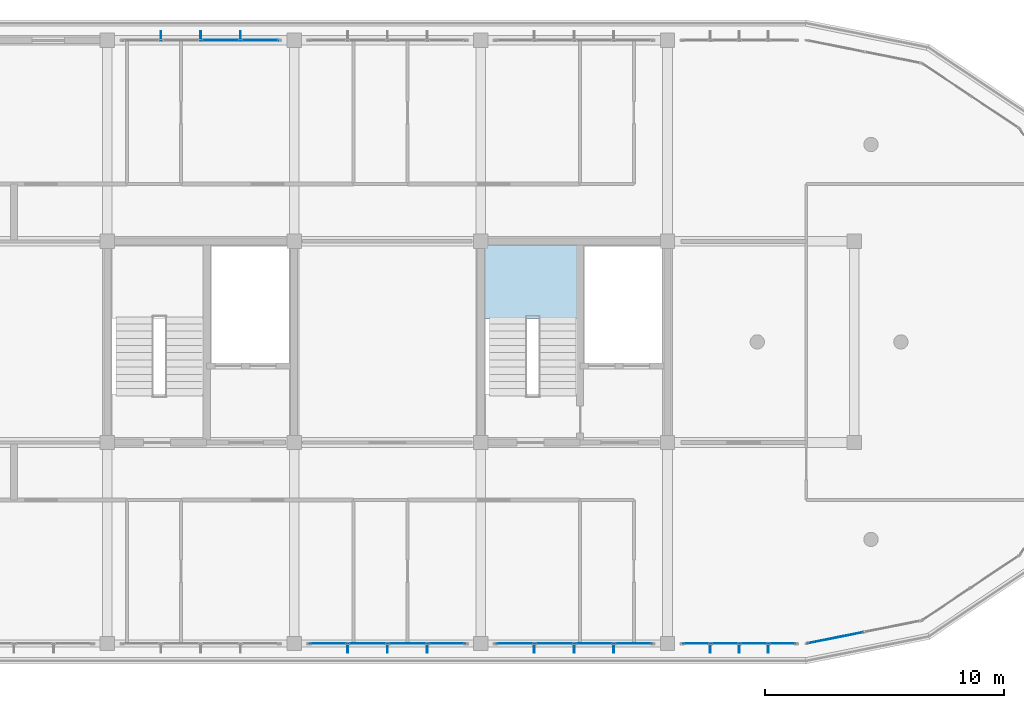
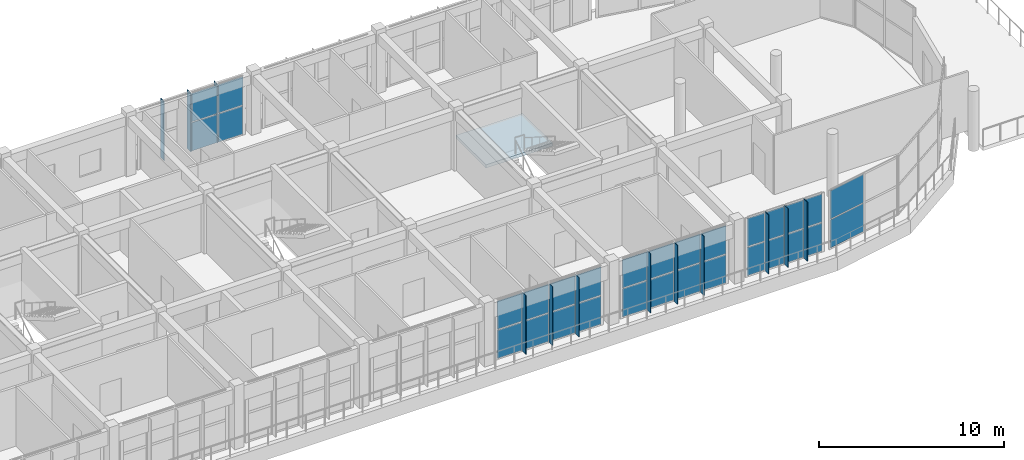
# One storey, part 38 of 50: 42 plates, 1 slab, 6 elements without a shape of their own.
"""IFC4 building model written with IfcOpenShell, lengths in metres."""

from ifc_helpers import new_model, si_unit, direction, frame, origin, origin_2d, place, context, subcontext, project, spatial, polyline, rectangle, outline, extrude, material, layer, layer_set, type_object, element, aggregate, save


model = new_model("IFC4")

# Units and contexts
model_context = context("Model", 3, precision=1e-05, world=origin(), true_north=direction((0.0, 1.0)))
body_context = subcontext(model_context, "Body", "Model", "MODEL_VIEW")
ifc_project = project(units=[si_unit("LENGTHUNIT", "METRE"), si_unit("AREAUNIT", "SQUARE_METRE"), si_unit("VOLUMEUNIT", "CUBIC_METRE"), si_unit("PLANEANGLEUNIT", "RADIAN"), si_unit("MASSUNIT", "GRAM", prefix="KILO")], contexts=[model_context])

# Site, building, storey
site_placement = place(None, origin())
site = spatial("IfcSite", under=ifc_project, at=site_placement, CompositionType="ELEMENT")
building_placement = place(site_placement, origin())
building = spatial("IfcBuilding", under=site, at=building_placement, Name="Zizhar Promenade General Hospital", CompositionType="ELEMENT")
storey_placement = place(building_placement, frame((0.0, 0.0, 30.60009765625)))
storey = spatial("IfcBuildingStorey", under=building, at=storey_placement, Name="L07", CompositionType="ELEMENT", Elevation=30.60009765625)

# Curtain wall, plates
ifc_material_1 = material(Name="Anodised aluminium 6063-T6 and low-E glass", Category="aluminium")
ifc_layer_1 = layer(ifc_material_1, 0.159912109375)
ifc_layer_set_1 = layer_set([ifc_layer_1], Name="Anodised aluminium 6063-T6 and low-E glass")
curtain_wall_type_1 = type_object("IfcCurtainWallType", Name="CW-WARD-ARC", PredefinedType="NOTDEFINED", material=ifc_layer_set_1)
curtain_wall_1_placement = place(storey_placement, origin())
curtain_wall_1 = element("IfcCurtainWall", 1, at=curtain_wall_1_placement, inside=storey, type_object=curtain_wall_type_1, Name="Ward Semicircular End Glazing L07-01", PredefinedType="NOTDEFINED")
ifc_material_2 = material(Name="Low-E solar-control glass", Category="glass")
ifc_layer_2 = layer(ifc_material_2, 0.031982421875)
ifc_layer_set_2 = layer_set([ifc_layer_2], Name="Low-E solar-control glass")
plate_type_1 = type_object("IfcPlateType", Name="CWP-GLZ-32", PredefinedType="CURTAIN_PANEL", material=ifc_layer_set_2)
plate_1_placement = place(storey_placement, frame((108.420166015625, 0.24267578125, 0.06005859375), z_axis=(0.0, 0.0, 1.0), x_axis=(-0.980785889615, -0.195087259275, 0.0)))
plate_1 = element("IfcPlate", 2, at=plate_1_placement, type_object=plate_type_1, Name="CW-12 panel 2.1", PredefinedType="CURTAIN_PANEL", context=body_context, shape_type="SweptSolid", body=[
    extrude(rectangle(XDim=2.3681640625, YDim=0.031982421875, at=origin_2d()), origin(), (0.0, 0.0, 1.0), 1.860107421875),
])
plate_2_placement = place(storey_placement, frame((108.420166015625, 0.24267578125, 1.97998046875), z_axis=(0.0, 0.0, 1.0), x_axis=(-0.980785889615, -0.195087259275, 0.0)))
plate_2 = element("IfcPlate", 3, at=plate_2_placement, type_object=plate_type_1, Name="CW-12 panel 2.2", PredefinedType="CURTAIN_PANEL", context=body_context, shape_type="SweptSolid", body=[
    extrude(rectangle(XDim=2.3681640625, YDim=0.031982421875, at=origin_2d()), origin(), (0.0, 0.0, 1.0), 1.860107421875),
])
aggregate(curtain_wall_1, [plate_1, plate_2])

ifc_material_3 = material(Name="Anodised aluminium 6063-T6 and low-E glass", Category="aluminium")
ifc_layer_3 = layer(ifc_material_3, 0.159912109375)
ifc_layer_set_3 = layer_set([ifc_layer_3], Name="Anodised aluminium 6063-T6 and low-E glass")
curtain_wall_type_2 = type_object("IfcCurtainWallType", Name="CW-WARD-RIB", PredefinedType="NOTDEFINED", material=ifc_layer_set_3)
curtain_wall_2_placement = place(storey_placement, origin())
curtain_wall_2 = element("IfcCurtainWall", 4, at=curtain_wall_2_placement, inside=storey, type_object=curtain_wall_type_2, Name="Ward Ribbon Curtain Wall L07-8-5", PredefinedType="NOTDEFINED")
plate_3_placement = place(storey_placement, frame((82.72998046875, 25.199951171875, 0.06005859375), z_axis=(0.0, 0.0, 1.0), x_axis=(1.0, 0.0, 0.0)))
plate_3 = element("IfcPlate", 5, at=plate_3_placement, type_object=plate_type_1, Name="CW-13 panel 3.1", PredefinedType="CURTAIN_PANEL", context=body_context, shape_type="SweptSolid", body=[
    extrude(rectangle(XDim=1.580078125, YDim=0.031982421875, at=origin_2d()), origin(), (0.0, 0.0, 1.0), 1.860107421875),
])
plate_4_placement = place(storey_placement, frame((82.72998046875, 25.199951171875, 1.97998046875), z_axis=(0.0, 0.0, 1.0), x_axis=(1.0, 0.0, 0.0)))
plate_4 = element("IfcPlate", 6, at=plate_4_placement, type_object=plate_type_1, Name="CW-13 panel 3.2", PredefinedType="CURTAIN_PANEL", context=body_context, shape_type="SweptSolid", body=[
    extrude(rectangle(XDim=1.580078125, YDim=0.031982421875, at=origin_2d()), origin(), (0.0, 0.0, 1.0), 1.860107421875),
])
plate_5_placement = place(storey_placement, frame((84.3701171875, 25.199951171875, 0.06005859375), z_axis=(0.0, 0.0, 1.0), x_axis=(1.0, 0.0, 0.0)))
plate_5 = element("IfcPlate", 7, at=plate_5_placement, type_object=plate_type_1, Name="CW-13 panel 4.1", PredefinedType="CURTAIN_PANEL", context=body_context, shape_type="SweptSolid", body=[
    extrude(rectangle(XDim=1.5400390625, YDim=0.031982421875, at=origin_2d()), origin(), (0.0, 0.0, 1.0), 1.860107421875),
])
plate_6_placement = place(storey_placement, frame((84.3701171875, 25.199951171875, 1.97998046875), z_axis=(0.0, 0.0, 1.0), x_axis=(1.0, 0.0, 0.0)))
plate_6 = element("IfcPlate", 8, at=plate_6_placement, type_object=plate_type_1, Name="CW-13 panel 4.2", PredefinedType="CURTAIN_PANEL", context=body_context, shape_type="SweptSolid", body=[
    extrude(rectangle(XDim=1.5400390625, YDim=0.031982421875, at=origin_2d()), origin(), (0.0, 0.0, 1.0), 1.860107421875),
])
aggregate(curtain_wall_2, [plate_3, plate_4, plate_5, plate_6])

curtain_wall_3_placement = place(storey_placement, origin())
curtain_wall_3 = element("IfcCurtainWall", 9, at=curtain_wall_3_placement, inside=storey, type_object=curtain_wall_type_2, Name="Ward Ribbon Curtain Wall L07-17-0", PredefinedType="NOTDEFINED")
plate_7_placement = place(storey_placement, frame((106.195068359375, 0.0, 0.06005859375), z_axis=(0.0, 0.0, 1.0), x_axis=(-1.0, 0.0, 0.0)))
plate_7 = element("IfcPlate", 10, at=plate_7_placement, type_object=plate_type_1, Name="CW-13 panel 1.1", PredefinedType="CURTAIN_PANEL", context=body_context, shape_type="SweptSolid", body=[
    extrude(rectangle(XDim=1.090087890625, YDim=0.031982421875, at=origin_2d()), origin(), (0.0, 0.0, 1.0), 1.860107421875),
])
plate_8_placement = place(storey_placement, frame((106.195068359375, 0.0, 1.97998046875), z_axis=(0.0, 0.0, 1.0), x_axis=(-1.0, 0.0, 0.0)))
plate_8 = element("IfcPlate", 11, at=plate_8_placement, type_object=plate_type_1, Name="CW-13 panel 1.2", PredefinedType="CURTAIN_PANEL", context=body_context, shape_type="SweptSolid", body=[
    extrude(rectangle(XDim=1.090087890625, YDim=0.031982421875, at=origin_2d()), origin(), (0.0, 0.0, 1.0), 1.860107421875),
])
plate_9_placement = place(storey_placement, frame((105.0048828125, 0.0, 0.06005859375), z_axis=(0.0, 0.0, 1.0), x_axis=(-1.0, 0.0, 0.0)))
plate_9 = element("IfcPlate", 12, at=plate_9_placement, type_object=plate_type_1, Name="CW-13 panel 2.1", PredefinedType="CURTAIN_PANEL", context=body_context, shape_type="SweptSolid", body=[
    extrude(rectangle(XDim=1.1298828125, YDim=0.031982421875, at=origin_2d()), origin(), (0.0, 0.0, 1.0), 1.860107421875),
])
plate_10_placement = place(storey_placement, frame((105.0048828125, 0.0, 1.97998046875), z_axis=(0.0, 0.0, 1.0), x_axis=(-1.0, 0.0, 0.0)))
plate_10 = element("IfcPlate", 13, at=plate_10_placement, type_object=plate_type_1, Name="CW-13 panel 2.2", PredefinedType="CURTAIN_PANEL", context=body_context, shape_type="SweptSolid", body=[
    extrude(rectangle(XDim=1.1298828125, YDim=0.031982421875, at=origin_2d()), origin(), (0.0, 0.0, 1.0), 1.860107421875),
])
plate_11_placement = place(storey_placement, frame((103.794921875, 0.0, 0.06005859375), z_axis=(0.0, 0.0, 1.0), x_axis=(-1.0, 0.0, 0.0)))
plate_11 = element("IfcPlate", 14, at=plate_11_placement, type_object=plate_type_1, Name="CW-13 panel 3.1", PredefinedType="CURTAIN_PANEL", context=body_context, shape_type="SweptSolid", body=[
    extrude(rectangle(XDim=1.1298828125, YDim=0.031982421875, at=origin_2d()), origin(), (0.0, 0.0, 1.0), 1.860107421875),
])
plate_12_placement = place(storey_placement, frame((103.794921875, 0.0, 1.97998046875), z_axis=(0.0, 0.0, 1.0), x_axis=(-1.0, 0.0, 0.0)))
plate_12 = element("IfcPlate", 15, at=plate_12_placement, type_object=plate_type_1, Name="CW-13 panel 3.2", PredefinedType="CURTAIN_PANEL", context=body_context, shape_type="SweptSolid", body=[
    extrude(rectangle(XDim=1.1298828125, YDim=0.031982421875, at=origin_2d()), origin(), (0.0, 0.0, 1.0), 1.860107421875),
])
plate_13_placement = place(storey_placement, frame((102.60498046875, 0.0, 0.06005859375), z_axis=(0.0, 0.0, 1.0), x_axis=(-1.0, 0.0, 0.0)))
plate_13 = element("IfcPlate", 16, at=plate_13_placement, type_object=plate_type_1, Name="CW-13 panel 4.1", PredefinedType="CURTAIN_PANEL", context=body_context, shape_type="SweptSolid", body=[
    extrude(rectangle(XDim=1.090087890625, YDim=0.031982421875, at=origin_2d()), origin(), (0.0, 0.0, 1.0), 1.860107421875),
])
plate_14_placement = place(storey_placement, frame((102.60498046875, 0.0, 1.97998046875), z_axis=(0.0, 0.0, 1.0), x_axis=(-1.0, 0.0, 0.0)))
plate_14 = element("IfcPlate", 17, at=plate_14_placement, type_object=plate_type_1, Name="CW-13 panel 4.2", PredefinedType="CURTAIN_PANEL", context=body_context, shape_type="SweptSolid", body=[
    extrude(rectangle(XDim=1.090087890625, YDim=0.031982421875, at=origin_2d()), origin(), (0.0, 0.0, 1.0), 1.860107421875),
])
aggregate(curtain_wall_3, [plate_7, plate_8, plate_9, plate_10, plate_11, plate_12, plate_13, plate_14])

curtain_wall_4_placement = place(storey_placement, origin())
curtain_wall_4 = element("IfcCurtainWall", 18, at=curtain_wall_4_placement, inside=storey, type_object=curtain_wall_type_2, Name="Ward Ribbon Curtain Wall L07-17-1", PredefinedType="NOTDEFINED")
plate_15_placement = place(storey_placement, frame((99.969970703125, 0.0, 0.06005859375), z_axis=(0.0, 0.0, 1.0), x_axis=(-1.0, 0.0, 0.0)))
plate_15 = element("IfcPlate", 19, at=plate_15_placement, type_object=plate_type_1, Name="CW-13 panel 1.1", PredefinedType="CURTAIN_PANEL", context=body_context, shape_type="SweptSolid", body=[
    extrude(rectangle(XDim=1.5400390625, YDim=0.031982421875, at=origin_2d()), origin(), (0.0, 0.0, 1.0), 1.860107421875),
])
plate_16_placement = place(storey_placement, frame((99.969970703125, 0.0, 1.97998046875), z_axis=(0.0, 0.0, 1.0), x_axis=(-1.0, 0.0, 0.0)))
plate_16 = element("IfcPlate", 20, at=plate_16_placement, type_object=plate_type_1, Name="CW-13 panel 1.2", PredefinedType="CURTAIN_PANEL", context=body_context, shape_type="SweptSolid", body=[
    extrude(rectangle(XDim=1.5400390625, YDim=0.031982421875, at=origin_2d()), origin(), (0.0, 0.0, 1.0), 1.860107421875),
])
plate_17_placement = place(storey_placement, frame((98.330078125, 0.0, 0.06005859375), z_axis=(0.0, 0.0, 1.0), x_axis=(-1.0, 0.0, 0.0)))
plate_17 = element("IfcPlate", 21, at=plate_17_placement, type_object=plate_type_1, Name="CW-13 panel 2.1", PredefinedType="CURTAIN_PANEL", context=body_context, shape_type="SweptSolid", body=[
    extrude(rectangle(XDim=1.580078125, YDim=0.031982421875, at=origin_2d()), origin(), (0.0, 0.0, 1.0), 1.860107421875),
])
plate_18_placement = place(storey_placement, frame((98.330078125, 0.0, 1.97998046875), z_axis=(0.0, 0.0, 1.0), x_axis=(-1.0, 0.0, 0.0)))
plate_18 = element("IfcPlate", 22, at=plate_18_placement, type_object=plate_type_1, Name="CW-13 panel 2.2", PredefinedType="CURTAIN_PANEL", context=body_context, shape_type="SweptSolid", body=[
    extrude(rectangle(XDim=1.580078125, YDim=0.031982421875, at=origin_2d()), origin(), (0.0, 0.0, 1.0), 1.860107421875),
])
plate_19_placement = place(storey_placement, frame((96.669921875, 0.0, 0.06005859375), z_axis=(0.0, 0.0, 1.0), x_axis=(-1.0, 0.0, 0.0)))
plate_19 = element("IfcPlate", 23, at=plate_19_placement, type_object=plate_type_1, Name="CW-13 panel 3.1", PredefinedType="CURTAIN_PANEL", context=body_context, shape_type="SweptSolid", body=[
    extrude(rectangle(XDim=1.580078125, YDim=0.031982421875, at=origin_2d()), origin(), (0.0, 0.0, 1.0), 1.860107421875),
])
plate_20_placement = place(storey_placement, frame((96.669921875, 0.0, 1.97998046875), z_axis=(0.0, 0.0, 1.0), x_axis=(-1.0, 0.0, 0.0)))
plate_20 = element("IfcPlate", 24, at=plate_20_placement, type_object=plate_type_1, Name="CW-13 panel 3.2", PredefinedType="CURTAIN_PANEL", context=body_context, shape_type="SweptSolid", body=[
    extrude(rectangle(XDim=1.580078125, YDim=0.031982421875, at=origin_2d()), origin(), (0.0, 0.0, 1.0), 1.860107421875),
])
plate_21_placement = place(storey_placement, frame((95.030029296875, 0.0, 0.06005859375), z_axis=(0.0, 0.0, 1.0), x_axis=(-1.0, 0.0, 0.0)))
plate_21 = element("IfcPlate", 25, at=plate_21_placement, type_object=plate_type_1, Name="CW-13 panel 4.1", PredefinedType="CURTAIN_PANEL", context=body_context, shape_type="SweptSolid", body=[
    extrude(rectangle(XDim=1.5400390625, YDim=0.031982421875, at=origin_2d()), origin(), (0.0, 0.0, 1.0), 1.860107421875),
])
plate_22_placement = place(storey_placement, frame((95.030029296875, 0.0, 1.97998046875), z_axis=(0.0, 0.0, 1.0), x_axis=(-1.0, 0.0, 0.0)))
plate_22 = element("IfcPlate", 26, at=plate_22_placement, type_object=plate_type_1, Name="CW-13 panel 4.2", PredefinedType="CURTAIN_PANEL", context=body_context, shape_type="SweptSolid", body=[
    extrude(rectangle(XDim=1.5400390625, YDim=0.031982421875, at=origin_2d()), origin(), (0.0, 0.0, 1.0), 1.860107421875),
])
aggregate(curtain_wall_4, [plate_15, plate_16, plate_17, plate_18, plate_19, plate_20, plate_21, plate_22])

curtain_wall_5_placement = place(storey_placement, origin())
curtain_wall_5 = element("IfcCurtainWall", 27, at=curtain_wall_5_placement, inside=storey, type_object=curtain_wall_type_2, Name="Ward Ribbon Curtain Wall L07-17-2", PredefinedType="NOTDEFINED")
plate_23_placement = place(storey_placement, frame((92.169921875, 0.0, 0.06005859375), z_axis=(0.0, 0.0, 1.0), x_axis=(-1.0, 0.0, 0.0)))
plate_23 = element("IfcPlate", 28, at=plate_23_placement, type_object=plate_type_1, Name="CW-13 panel 1.1", PredefinedType="CURTAIN_PANEL", context=body_context, shape_type="SweptSolid", body=[
    extrude(rectangle(XDim=1.5400390625, YDim=0.031982421875, at=origin_2d()), origin(), (0.0, 0.0, 1.0), 1.860107421875),
])
plate_24_placement = place(storey_placement, frame((92.169921875, 0.0, 1.97998046875), z_axis=(0.0, 0.0, 1.0), x_axis=(-1.0, 0.0, 0.0)))
plate_24 = element("IfcPlate", 29, at=plate_24_placement, type_object=plate_type_1, Name="CW-13 panel 1.2", PredefinedType="CURTAIN_PANEL", context=body_context, shape_type="SweptSolid", body=[
    extrude(rectangle(XDim=1.5400390625, YDim=0.031982421875, at=origin_2d()), origin(), (0.0, 0.0, 1.0), 1.860107421875),
])
plate_25_placement = place(storey_placement, frame((90.530029296875, 0.0, 0.06005859375), z_axis=(0.0, 0.0, 1.0), x_axis=(-1.0, 0.0, 0.0)))
plate_25 = element("IfcPlate", 30, at=plate_25_placement, type_object=plate_type_1, Name="CW-13 panel 2.1", PredefinedType="CURTAIN_PANEL", context=body_context, shape_type="SweptSolid", body=[
    extrude(rectangle(XDim=1.580078125, YDim=0.031982421875, at=origin_2d()), origin(), (0.0, 0.0, 1.0), 1.860107421875),
])
plate_26_placement = place(storey_placement, frame((90.530029296875, 0.0, 1.97998046875), z_axis=(0.0, 0.0, 1.0), x_axis=(-1.0, 0.0, 0.0)))
plate_26 = element("IfcPlate", 31, at=plate_26_placement, type_object=plate_type_1, Name="CW-13 panel 2.2", PredefinedType="CURTAIN_PANEL", context=body_context, shape_type="SweptSolid", body=[
    extrude(rectangle(XDim=1.580078125, YDim=0.031982421875, at=origin_2d()), origin(), (0.0, 0.0, 1.0), 1.860107421875),
])
plate_27_placement = place(storey_placement, frame((88.8701171875, 0.0, 0.06005859375), z_axis=(0.0, 0.0, 1.0), x_axis=(-1.0, 0.0, 0.0)))
plate_27 = element("IfcPlate", 32, at=plate_27_placement, type_object=plate_type_1, Name="CW-13 panel 3.1", PredefinedType="CURTAIN_PANEL", context=body_context, shape_type="SweptSolid", body=[
    extrude(rectangle(XDim=1.580078125, YDim=0.031982421875, at=origin_2d()), origin(), (0.0, 0.0, 1.0), 1.860107421875),
])
plate_28_placement = place(storey_placement, frame((88.8701171875, 0.0, 1.97998046875), z_axis=(0.0, 0.0, 1.0), x_axis=(-1.0, 0.0, 0.0)))
plate_28 = element("IfcPlate", 33, at=plate_28_placement, type_object=plate_type_1, Name="CW-13 panel 3.2", PredefinedType="CURTAIN_PANEL", context=body_context, shape_type="SweptSolid", body=[
    extrude(rectangle(XDim=1.580078125, YDim=0.031982421875, at=origin_2d()), origin(), (0.0, 0.0, 1.0), 1.860107421875),
])
plate_29_placement = place(storey_placement, frame((87.22998046875, 0.0, 0.06005859375), z_axis=(0.0, 0.0, 1.0), x_axis=(-1.0, 0.0, 0.0)))
plate_29 = element("IfcPlate", 34, at=plate_29_placement, type_object=plate_type_1, Name="CW-13 panel 4.1", PredefinedType="CURTAIN_PANEL", context=body_context, shape_type="SweptSolid", body=[
    extrude(rectangle(XDim=1.5400390625, YDim=0.031982421875, at=origin_2d()), origin(), (0.0, 0.0, 1.0), 1.860107421875),
])
plate_30_placement = place(storey_placement, frame((87.22998046875, 0.0, 1.97998046875), z_axis=(0.0, 0.0, 1.0), x_axis=(-1.0, 0.0, 0.0)))
plate_30 = element("IfcPlate", 35, at=plate_30_placement, type_object=plate_type_1, Name="CW-13 panel 4.2", PredefinedType="CURTAIN_PANEL", context=body_context, shape_type="SweptSolid", body=[
    extrude(rectangle(XDim=1.5400390625, YDim=0.031982421875, at=origin_2d()), origin(), (0.0, 0.0, 1.0), 1.860107421875),
])
aggregate(curtain_wall_5, [plate_23, plate_24, plate_25, plate_26, plate_27, plate_28, plate_29, plate_30])

# Plates
ifc_material_4 = material(Name="Anodised aluminium 6063-T6", Category="aluminium")
ifc_layer_4 = layer(ifc_material_4, 0.035888671875)
ifc_layer_set_4 = layer_set([ifc_layer_4], Name="Anodised aluminium 6063-T6")
plate_type_2 = type_object("IfcPlateType", Name="FIN-ALU-380", PredefinedType="USERDEFINED", material=ifc_layer_set_4)
plate_31_placement = place(storey_placement, origin())
element("IfcPlate", 36, at=plate_31_placement, inside=storey, type_object=plate_type_2, Name="Ward Ribbon Curtain Wall L07-8-5 Solar Fin 1", ObjectType="SOLAR_SHADE", PredefinedType="USERDEFINED", context=body_context, shape_type="SweptSolid", body=[
    extrude(outline(polyline([(80.221923828125, 25.199951171875), (80.258056640625, 25.199951171875), (80.258056640625, 25.580078125), (80.221923828125, 25.580078125), (80.221923828125, 25.199951171875)])), origin(), (0.0, 0.0, 1.0), 3.89990234375),
])
plate_32_placement = place(storey_placement, origin())
element("IfcPlate", 37, at=plate_32_placement, inside=storey, type_object=plate_type_2, Name="Ward Ribbon Curtain Wall L07-8-5 Solar Fin 2", ObjectType="SOLAR_SHADE", PredefinedType="USERDEFINED", context=body_context, shape_type="SweptSolid", body=[
    extrude(outline(polyline([(81.882080078125, 25.199951171875), (81.91796875, 25.199951171875), (81.91796875, 25.580078125), (81.882080078125, 25.580078125), (81.882080078125, 25.199951171875)])), origin(), (0.0, 0.0, 1.0), 3.89990234375),
])
plate_33_placement = place(storey_placement, origin())
element("IfcPlate", 38, at=plate_33_placement, inside=storey, type_object=plate_type_2, Name="Ward Ribbon Curtain Wall L07-8-5 Solar Fin 3", ObjectType="SOLAR_SHADE", PredefinedType="USERDEFINED", context=body_context, shape_type="SweptSolid", body=[
    extrude(outline(polyline([(83.5419921875, 25.199951171875), (83.577880859375, 25.199951171875), (83.577880859375, 25.580078125), (83.5419921875, 25.580078125), (83.5419921875, 25.199951171875)])), origin(), (0.0, 0.0, 1.0), 3.89990234375),
])
plate_34_placement = place(storey_placement, origin())
element("IfcPlate", 39, at=plate_34_placement, inside=storey, type_object=plate_type_2, Name="Ward Ribbon Curtain Wall L07-17-0 Solar Fin 1", ObjectType="SOLAR_SHADE", PredefinedType="USERDEFINED", context=body_context, shape_type="SweptSolid", body=[
    extrude(outline(polyline([(105.6279296875, 0.0), (105.592041015625, 0.0), (105.592041015625, -0.3798828125), (105.6279296875, -0.3798828125), (105.6279296875, 0.0)])), origin(), (0.0, 0.0, 1.0), 3.89990234375),
])
plate_35_placement = place(storey_placement, origin())
element("IfcPlate", 40, at=plate_35_placement, inside=storey, type_object=plate_type_2, Name="Ward Ribbon Curtain Wall L07-17-0 Solar Fin 2", ObjectType="SOLAR_SHADE", PredefinedType="USERDEFINED", context=body_context, shape_type="SweptSolid", body=[
    extrude(outline(polyline([(104.41796875, 0.0), (104.382080078125, 0.0), (104.382080078125, -0.3798828125), (104.41796875, -0.3798828125), (104.41796875, 0.0)])), origin(), (0.0, 0.0, 1.0), 3.89990234375),
])
plate_36_placement = place(storey_placement, origin())
element("IfcPlate", 41, at=plate_36_placement, inside=storey, type_object=plate_type_2, Name="Ward Ribbon Curtain Wall L07-17-0 Solar Fin 3", ObjectType="SOLAR_SHADE", PredefinedType="USERDEFINED", context=body_context, shape_type="SweptSolid", body=[
    extrude(outline(polyline([(103.2080078125, 0.0), (103.172119140625, 0.0), (103.172119140625, -0.3798828125), (103.2080078125, -0.3798828125), (103.2080078125, 0.0)])), origin(), (0.0, 0.0, 1.0), 3.89990234375),
])
plate_37_placement = place(storey_placement, origin())
element("IfcPlate", 42, at=plate_37_placement, inside=storey, type_object=plate_type_2, Name="Ward Ribbon Curtain Wall L07-17-1 Solar Fin 1", ObjectType="SOLAR_SHADE", PredefinedType="USERDEFINED", context=body_context, shape_type="SweptSolid", body=[
    extrude(outline(polyline([(99.177978515625, 0.0), (99.14208984375, 0.0), (99.14208984375, -0.3798828125), (99.177978515625, -0.3798828125), (99.177978515625, 0.0)])), origin(), (0.0, 0.0, 1.0), 3.89990234375),
])
plate_38_placement = place(storey_placement, origin())
element("IfcPlate", 43, at=plate_38_placement, inside=storey, type_object=plate_type_2, Name="Ward Ribbon Curtain Wall L07-17-1 Solar Fin 2", ObjectType="SOLAR_SHADE", PredefinedType="USERDEFINED", context=body_context, shape_type="SweptSolid", body=[
    extrude(outline(polyline([(97.51806640625, 0.0), (97.48193359375, 0.0), (97.48193359375, -0.3798828125), (97.51806640625, -0.3798828125), (97.51806640625, 0.0)])), origin(), (0.0, 0.0, 1.0), 3.89990234375),
])
plate_39_placement = place(storey_placement, origin())
element("IfcPlate", 44, at=plate_39_placement, inside=storey, type_object=plate_type_2, Name="Ward Ribbon Curtain Wall L07-17-1 Solar Fin 3", ObjectType="SOLAR_SHADE", PredefinedType="USERDEFINED", context=body_context, shape_type="SweptSolid", body=[
    extrude(outline(polyline([(95.85791015625, 0.0), (95.822021484375, 0.0), (95.822021484375, -0.3798828125), (95.85791015625, -0.3798828125), (95.85791015625, 0.0)])), origin(), (0.0, 0.0, 1.0), 3.89990234375),
])
plate_40_placement = place(storey_placement, origin())
element("IfcPlate", 45, at=plate_40_placement, inside=storey, type_object=plate_type_2, Name="Ward Ribbon Curtain Wall L07-17-2 Solar Fin 1", ObjectType="SOLAR_SHADE", PredefinedType="USERDEFINED", context=body_context, shape_type="SweptSolid", body=[
    extrude(outline(polyline([(91.3779296875, 0.0), (91.342041015625, 0.0), (91.342041015625, -0.3798828125), (91.3779296875, -0.3798828125), (91.3779296875, 0.0)])), origin(), (0.0, 0.0, 1.0), 3.89990234375),
])
plate_41_placement = place(storey_placement, origin())
element("IfcPlate", 46, at=plate_41_placement, inside=storey, type_object=plate_type_2, Name="Ward Ribbon Curtain Wall L07-17-2 Solar Fin 2", ObjectType="SOLAR_SHADE", PredefinedType="USERDEFINED", context=body_context, shape_type="SweptSolid", body=[
    extrude(outline(polyline([(89.718017578125, 0.0), (89.681884765625, 0.0), (89.681884765625, -0.3798828125), (89.718017578125, -0.3798828125), (89.718017578125, 0.0)])), origin(), (0.0, 0.0, 1.0), 3.89990234375),
])
plate_42_placement = place(storey_placement, origin())
element("IfcPlate", 47, at=plate_42_placement, inside=storey, type_object=plate_type_2, Name="Ward Ribbon Curtain Wall L07-17-2 Solar Fin 3", ObjectType="SOLAR_SHADE", PredefinedType="USERDEFINED", context=body_context, shape_type="SweptSolid", body=[
    extrude(outline(polyline([(88.05810546875, 0.0), (88.02197265625, 0.0), (88.02197265625, -0.3798828125), (88.05810546875, -0.3798828125), (88.05810546875, 0.0)])), origin(), (0.0, 0.0, 1.0), 3.89990234375),
])

# Stair, slab
ifc_material_5 = material(Name="Concrete C35/45", Category="concrete")
stair_type = type_object("IfcStairType", Name="STR-DOG-420", PredefinedType="HALF_TURN_STAIR", material=ifc_material_5)
stair_placement = place(storey_placement, origin())
stair = element("IfcStair", 48, at=stair_placement, inside=storey, type_object=stair_type, Name="Exit Stair ST-05 (L07 to L08)", PredefinedType="HALF_TURN_STAIR")
ifc_material_6 = material(Name="Concrete C35/45", Category="concrete")
ifc_layer_5 = layer(ifc_material_6, 0.2099609375)
ifc_layer_set_5 = layer_set([ifc_layer_5], Name="Concrete C35/45")
slab_type = type_object("IfcSlabType", Name="SLB-LAND-420", PredefinedType="LANDING", material=ifc_layer_set_5)
slab_placement = place(storey_placement, frame((0.0, 0.0, 1.889892578125)))
slab = element("IfcSlab", 49, at=slab_placement, type_object=slab_type, Name="ST-05C landing 1", PredefinedType="LANDING", context=body_context, shape_type="SweptSolid", body=[
    extrude(outline(polyline([(93.60009765625, 13.570068359375), (97.75, 13.570068359375), (97.75, 16.800048828125), (93.60009765625, 16.800048828125), (93.60009765625, 13.570068359375)])), origin(), (0.0, 0.0, 1.0), 0.2099609375),
])
aggregate(stair, [slab])

save(model, "model.ifc")
